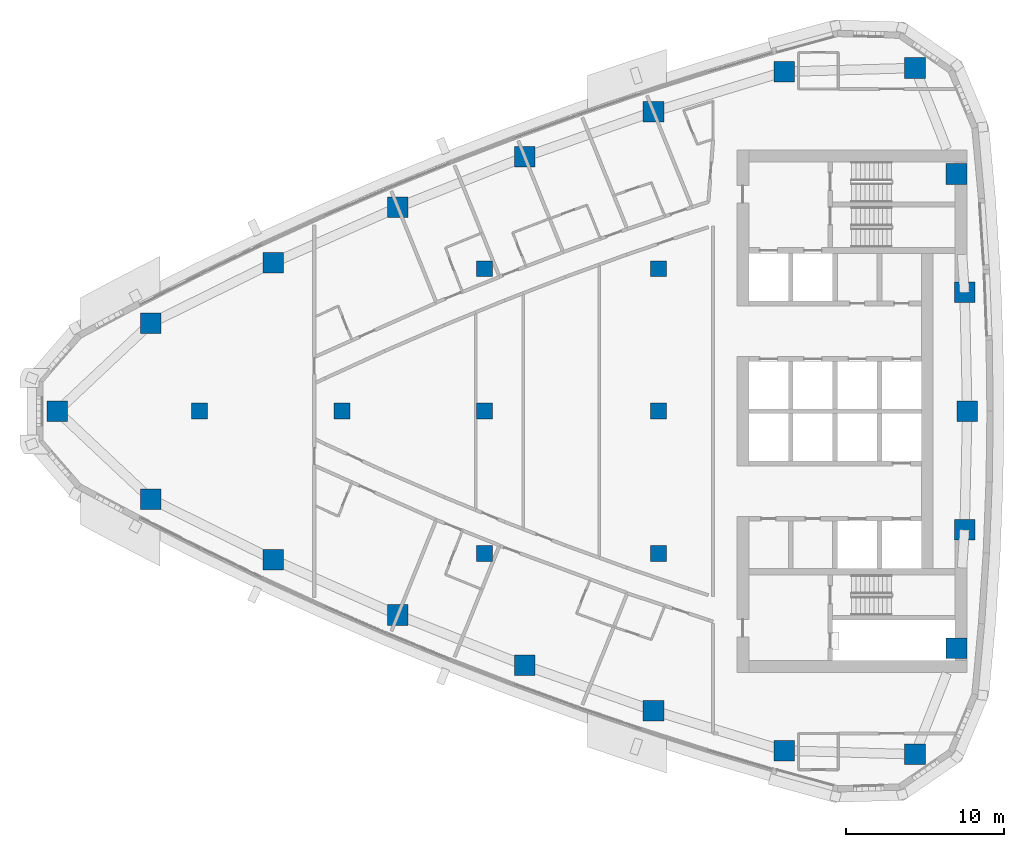
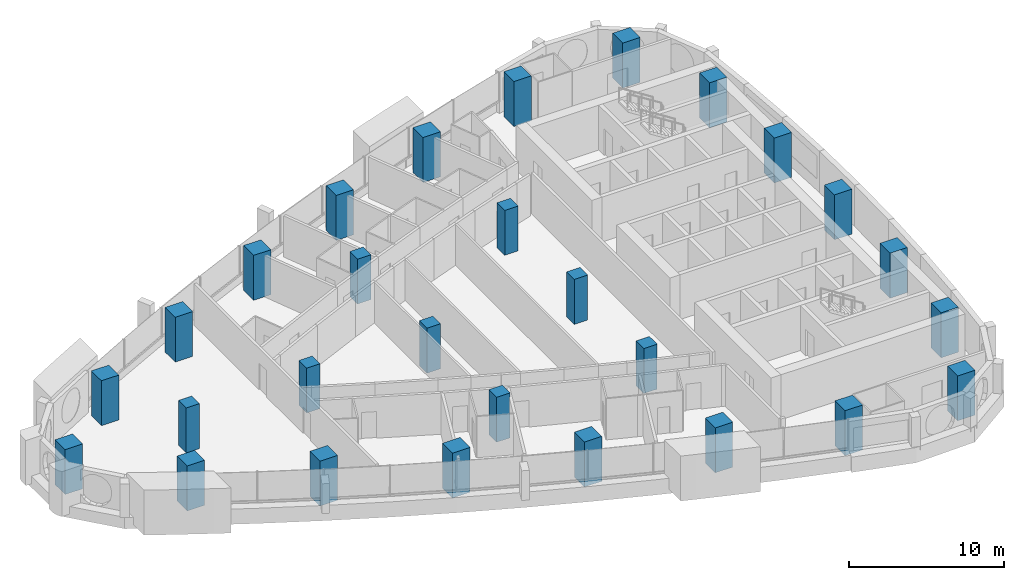
# One storey, part 1 of 17: 28 columns.
"""IFC4 building model written with IfcOpenShell, lengths in metres."""

from ifc_helpers import new_model, si_unit, direction, frame, origin, origin_2d, place, context, subcontext, project, spatial, rectangle, extrude, material, material_profile, profile_set, type_object, element, save


model = new_model("IFC4")

# Units and contexts
model_context = context("Model", 3, precision=1e-05, world=origin(), true_north=direction((0.0, 1.0)))
body_context = subcontext(model_context, "Body", "Model", "MODEL_VIEW")
ifc_project = project(units=[si_unit("LENGTHUNIT", "METRE"), si_unit("AREAUNIT", "SQUARE_METRE"), si_unit("VOLUMEUNIT", "CUBIC_METRE"), si_unit("PLANEANGLEUNIT", "RADIAN"), si_unit("MASSUNIT", "GRAM", prefix="KILO")], contexts=[model_context])

# Site, building, storey
site_placement = place(None, origin())
site = spatial("IfcSite", under=ifc_project, at=site_placement, CompositionType="ELEMENT")
building_placement = place(site_placement, origin())
building = spatial("IfcBuilding", under=site, at=building_placement, Name="Ostrand Prow Hotel Tower", CompositionType="ELEMENT")
storey_placement = place(building_placement, frame((0.0, 0.0, 203.89990234375)))
storey = spatial("IfcBuildingStorey", under=building, at=storey_placement, Name="L51", CompositionType="ELEMENT", Elevation=203.89990234375)

# Columns
ifc_material_1 = material(Name="Concrete C60/75", Category="concrete")
ifc_material_profile_1 = material_profile(ifc_material_1, rectangle(XDim=1.0, YDim=1.0, at=origin_2d()), Name="RC 1000x1000")
ifc_profile_set_1 = profile_set([ifc_material_profile_1], Name="Concrete C60/75")
column_type_1 = type_object("IfcColumnType", Name="Interior column 1000x1000 C60/75", PredefinedType="COLUMN", material=ifc_profile_set_1)
for number, where, z_axis, x_axis, name in (
    (1, (16.0, 0.0, 0.0), (0.0, 0.0, 1.0), (1.0, 0.0, 0.0), "Interior column 16C0"),
    (2, (25.0, 0.0, 0.0), (0.0, 0.0, 1.0), (1.0, 0.0, 0.0), "Interior column 25C0"),
    (3, (34.0, -9.0, 0.0), (0.0, 0.0, 1.0), (1.0, 0.0, 0.0), "Interior column 34S9"),
    (4, (34.0, 0.0, 0.0), (0.0, 0.0, 1.0), (1.0, 0.0, 0.0), "Interior column 34C0"),
    (5, (34.0, 9.0, 0.0), (0.0, 0.0, 1.0), (1.0, 0.0, 0.0), "Interior column 34N9"),
    (6, (45.0, -9.0, 0.0), (0.0, 0.0, 1.0), (1.0, 0.0, 0.0), "Interior column 45S9"),
    (7, (45.0, 0.0, 0.0), (0.0, 0.0, 1.0), (1.0, 0.0, 0.0), "Interior column 45C0"),
    (8, (45.0, 9.0, 0.0), (0.0, 0.0, 1.0), (1.0, 0.0, 0.0), "Interior column 45N9"),
):
    element("IfcColumn", number, at=place(storey_placement, frame(where, z_axis=z_axis, x_axis=x_axis)), inside=storey, type_object=column_type_1, Name=name, PredefinedType="COLUMN", context=body_context, shape_type="SweptSolid", body=[
        extrude(rectangle(XDim=1.0, YDim=1.0, at=origin_2d()), origin(), (0.0, 0.0, 1.0), 3.550048828125),
    ])
ifc_material_2 = material(Name="Concrete C60/75", Category="concrete")
ifc_material_profile_2 = material_profile(ifc_material_2, rectangle(XDim=1.300048828125, YDim=1.300048828125, at=origin_2d()), Name="RC 1300x1300")
ifc_profile_set_2 = profile_set([ifc_material_profile_2], Name="Concrete C60/75")
column_type_2 = type_object("IfcColumnType", Name="Stone-faced mega column 1300x1300 C60/75", PredefinedType="COLUMN", material=ifc_profile_set_2)
for number, where, z_axis, x_axis, name in (
    (9, (7.01708984375, 0.0, 0.0), (0.0, 0.0, 1.0), (1.0, 0.0, 0.0), "Mega column P"),
    (10, (12.9287109375, -5.551513671875, 0.0), (0.0, 0.0, 1.0), (1.0, 0.0, 0.0), "Mega column S1"),
    (11, (20.656982421875, -9.373291015625, 0.0), (0.0, 0.0, 1.0), (1.0, 0.0, 0.0), "Mega column S2"),
    (12, (28.5341796875, -12.878173828125, 0.0), (0.0, 0.0, 1.0), (1.0, 0.0, 0.0), "Mega column S3"),
    (13, (36.547119140625, -16.060791015625, 0.0), (0.0, 0.0, 1.0), (1.0, 0.0, 0.0), "Mega column S4"),
    (14, (44.6826171875, -18.91552734375, 0.0), (0.0, 0.0, 1.0), (1.0, 0.0, 0.0), "Mega column S5"),
    (15, (52.92724609375, -21.43798828125, 0.0), (0.0, 0.0, 1.0), (1.0, 0.0, 0.0), "Mega column S6"),
    (16, (61.198486328125, -21.678955078125, 0.0), (0.0, 0.0, 1.0), (1.0, 0.0, 0.0), "Mega column SE"),
    (17, (63.822021484375, -14.983154296875, 0.0), (0.0, 0.0, 1.0), (1.0, 0.0, 0.0), "Mega column B1"),
    (18, (64.330322265625, -7.499267578125, 0.0), (0.0, 0.0, 1.0), (1.0, 0.0, 0.0), "Mega column B2"),
    (19, (64.5, 0.0, 0.0), (0.0, 0.0, 1.0), (1.0, 0.0, 0.0), "Mega column B3"),
    (20, (64.330322265625, 7.499267578125, 0.0), (0.0, 0.0, 1.0), (1.0, 0.0, 0.0), "Mega column B4"),
    (21, (63.822021484375, 14.983154296875, 0.0), (0.0, 0.0, 1.0), (1.0, 0.0, 0.0), "Mega column B5"),
    (22, (61.198486328125, 21.678955078125, 0.0), (0.0, 0.0, 1.0), (1.0, 0.0, 0.0), "Mega column NE"),
    (23, (52.92724609375, 21.43798828125, 0.0), (0.0, 0.0, 1.0), (1.0, 0.0, 0.0), "Mega column N1"),
    (24, (44.6826171875, 18.91552734375, 0.0), (0.0, 0.0, 1.0), (1.0, 0.0, 0.0), "Mega column N2"),
    (25, (36.547119140625, 16.060791015625, 0.0), (0.0, 0.0, 1.0), (1.0, 0.0, 0.0), "Mega column N3"),
    (26, (28.5341796875, 12.878173828125, 0.0), (0.0, 0.0, 1.0), (1.0, 0.0, 0.0), "Mega column N4"),
    (27, (20.656982421875, 9.373291015625, 0.0), (0.0, 0.0, 1.0), (1.0, 0.0, 0.0), "Mega column N5"),
    (28, (12.9287109375, 5.551513671875, 0.0), (0.0, 0.0, 1.0), (1.0, 0.0, 0.0), "Mega column N6"),
):
    element("IfcColumn", number, at=place(storey_placement, frame(where, z_axis=z_axis, x_axis=x_axis)), inside=storey, type_object=column_type_2, Name=name, PredefinedType="COLUMN", context=body_context, shape_type="SweptSolid", body=[
        extrude(rectangle(XDim=1.300048828125, YDim=1.300048828125, at=origin_2d()), origin(), (0.0, 0.0, 1.0), 3.550048828125),
    ])

save(model, "model.ifc")
